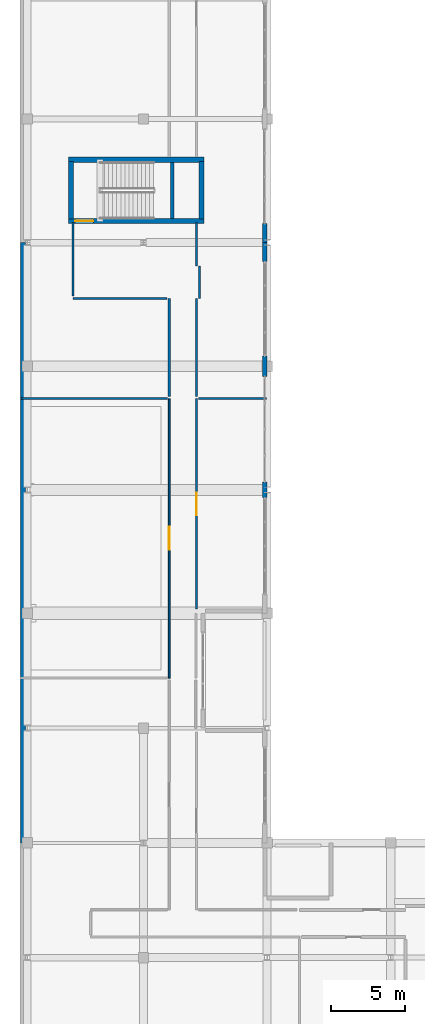
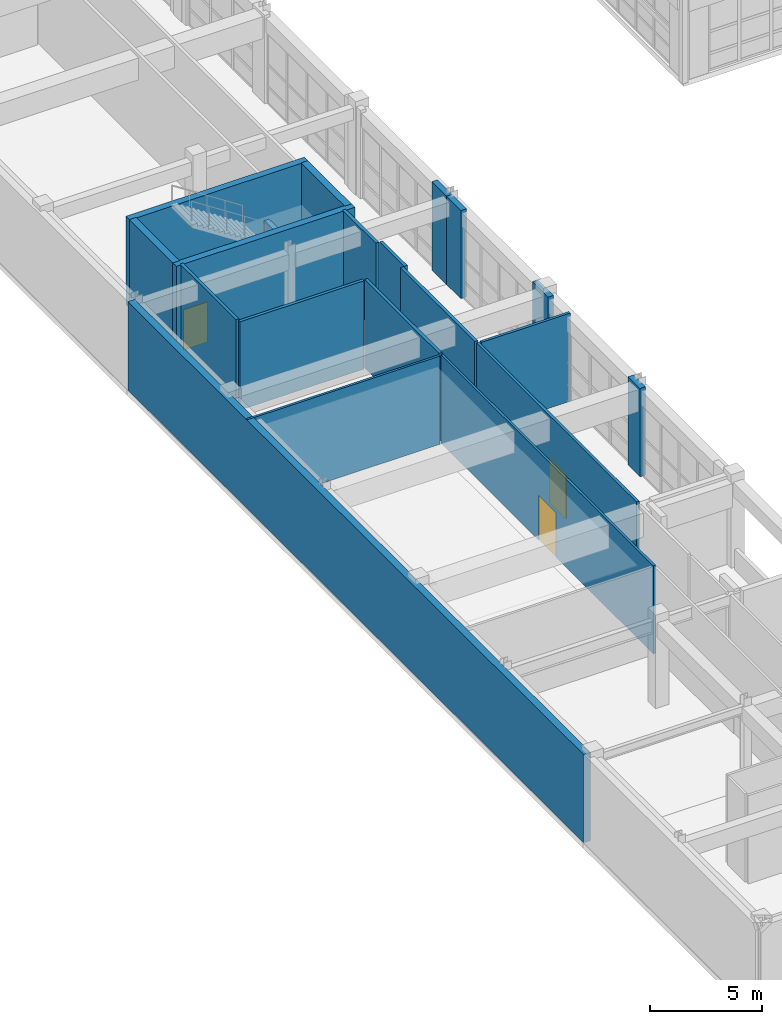
# One storey, part 60 of 78: 20 walls, 3 doors, 3 openings.
"""IFC4 building model written with IfcOpenShell, lengths in metres."""

from ifc_helpers import new_model, si_unit, direction, frame, frame_2d, origin, place, context, subcontext, project, spatial, rectangle, extrude, material, layer, layer_set, type_object, element, fill, save


model = new_model("IFC4")

# Units and contexts
model_context = context("Model", 3, precision=1e-05, world=origin(), true_north=direction((0.0, 1.0)))
body_context = subcontext(model_context, "Body", "Model", "MODEL_VIEW")
ifc_project = project(units=[si_unit("LENGTHUNIT", "METRE"), si_unit("AREAUNIT", "SQUARE_METRE"), si_unit("VOLUMEUNIT", "CUBIC_METRE"), si_unit("PLANEANGLEUNIT", "RADIAN"), si_unit("MASSUNIT", "GRAM", prefix="KILO")], contexts=[model_context])

# Site, building, storey
site_placement = place(None, origin())
site = spatial("IfcSite", under=ifc_project, at=site_placement, CompositionType="ELEMENT")
building_placement = place(site_placement, origin())
building = spatial("IfcBuilding", under=site, at=building_placement, Name="Quendrovan Civic Courthouse", CompositionType="ELEMENT")
storey_placement = place(building_placement, frame((0.0, 0.0, 10.199951171875)))
storey = spatial("IfcBuildingStorey", under=building, at=storey_placement, Name="L03", CompositionType="ELEMENT", Elevation=10.199951171875)

# Wall, opening, door
ifc_material_1 = material(Name="Acoustic gypsum stud partition")
ifc_layer_1 = layer(ifc_material_1, 0.139892578125, Name="Acoustic gypsum stud partition")
ifc_layer_set_1 = layer_set([ifc_layer_1], Name="Acoustic gypsum stud partition")
wall_type_1 = type_object("IfcWallType", Name="WL-CHM-140", PredefinedType="PARTITIONING", material=ifc_layer_set_1)
wall_1_placement = place(storey_placement, frame((12.0, 31.47998046875, 0.0), z_axis=(0.0, 0.0, 1.0), x_axis=(0.0, 1.0, 0.0)))
wall_1 = element("IfcWall", 1, at=wall_1_placement, inside=storey, type_object=wall_type_1, Name="L03 Attorney Conference Room Partition 0448", PredefinedType="PARTITIONING", context=body_context, shape_type="SweptSolid", body=[
    extrude(rectangle(XDim=14.320068359375, YDim=0.139892578125, at=frame_2d((7.16015625, 0.0))), origin(), (0.0, 0.0, 1.0), 4.820068359375),
])
opening_1_placement = place(wall_1_placement, frame((6.39990234375, 0.0, 0.0)))
opening_1 = element("IfcOpeningElement", 2, at=opening_1_placement, cuts=wall_1, Name="Opening D-L03-066", PredefinedType="OPENING", context=body_context, shape_type="SweptSolid", body=[
    extrude(rectangle(XDim=1.52001953125, YDim=2.39990234375, at=frame_2d((0.760009765625, 1.199951171875))), frame((0.0, 0.080078125, 0.0), z_axis=(0.0, -1.0, 0.0), x_axis=(1.0, 0.0, 0.0)), (0.0, 0.0, 1.0), 0.159912109375),
])
ifc_material_2 = material(Name="Acoustic timber double-leaf door", Category="wood")
door_type_1 = type_object("IfcDoorType", Name="DR-CONF-1520", OperationType="NOTDEFINED", PredefinedType="DOOR", material=ifc_material_2)
door_1_placement = place(opening_1_placement, origin())
door_1 = element("IfcDoor", 3, at=door_1_placement, inside=storey, type_object=door_type_1, Name="L03 Attorney Conference Room Door D-L03-066", OperationType="SINGLE_SWING_LEFT", OverallHeight=2.39990234375, OverallWidth=1.52001953125, PredefinedType="DOOR", context=body_context, shape_type="SweptSolid", body=[
    extrude(rectangle(XDim=1.52001953125, YDim=2.39990234375, at=frame_2d((0.760009765625, 1.199951171875))), frame((0.0, 0.02490234375, 0.0), z_axis=(0.0, -1.0, 0.0), x_axis=(1.0, 0.0, 0.0)), (0.0, 0.0, 1.0), 0.050048828125),
])
fill(opening_1, door_1)

# Walls
wall_2_placement = place(storey_placement, frame((12.14990234375, 45.800048828125, 0.0), z_axis=(0.0, 0.0, 1.0), x_axis=(1.0, 0.0, 0.0)))
element("IfcWall", 4, at=wall_2_placement, inside=storey, type_object=wall_type_1, Name="L03 Attorney Conference Room Partition 0481", PredefinedType="PARTITIONING", context=body_context, shape_type="SweptSolid", body=[
    extrude(rectangle(XDim=4.590087890625, YDim=0.139892578125, at=frame_2d((2.294921875, 0.0))), origin(), (0.0, 0.0, 1.0), 4.820068359375),
])
ifc_material_3 = material(Name="Fire-rated gypsum stud partition")
ifc_layer_2 = layer(ifc_material_3, 0.159912109375, Name="Fire-rated gypsum stud partition")
ifc_layer_set_2 = layer_set([ifc_layer_2], Name="Fire-rated gypsum stud partition")
wall_type_2 = type_object("IfcWallType", Name="WL-COR-160", PredefinedType="PARTITIONING", material=ifc_layer_set_2)
wall_3_placement = place(storey_placement, frame((12.0, 45.949951171875, 0.0), z_axis=(0.0, 0.0, 1.0), x_axis=(0.0, 1.0, 0.0)))
element("IfcWall", 5, at=wall_3_placement, inside=storey, type_object=wall_type_2, Name="L03 Appellate Filing Case Registry Partition 0466", PredefinedType="PARTITIONING", context=body_context, shape_type="SweptSolid", body=[
    extrude(rectangle(XDim=6.650146484375, YDim=0.159912109375, at=frame_2d((3.3251953125, 0.0))), origin(), (0.0, 0.0, 1.0), 4.820068359375),
])
wall_4_placement = place(storey_placement, frame((10.14990234375, 52.60009765625, 0.0), z_axis=(0.0, 0.0, 1.0), x_axis=(0.0, -1.0, 0.0)))
element("IfcWall", 6, at=wall_4_placement, inside=storey, type_object=wall_type_2, Name="L03 Appellate Filing Case Registry Partition 0467", PredefinedType="PARTITIONING", context=body_context, shape_type="SweptSolid", body=[
    extrude(rectangle(XDim=6.66015625, YDim=0.159912109375, at=frame_2d((3.330078125, 0.0))), origin(), (0.0, 0.0, 1.0), 4.820068359375),
])
wall_5_placement = place(storey_placement, frame((3.60009765625, 52.60009765625, 0.0), z_axis=(0.0, 0.0, 1.0), x_axis=(1.0, 0.0, 0.0)))
element("IfcWall", 7, at=wall_5_placement, inside=storey, type_object=wall_type_2, Name="L03 Appellate Filing Case Registry Partition 0470", PredefinedType="PARTITIONING", context=body_context, shape_type="SweptSolid", body=[
    extrude(rectangle(XDim=6.389892578125, YDim=0.159912109375, at=frame_2d((3.19482421875, 0.0))), origin(), (0.0, 0.0, 1.0), 4.820068359375),
])
wall_6_placement = place(storey_placement, frame((3.60009765625, 57.780029296875, 0.0), z_axis=(0.0, 0.0, 1.0), x_axis=(0.0, -1.0, 0.0)))
element("IfcWall", 8, at=wall_6_placement, inside=storey, type_object=wall_type_2, Name="L03 Appellate Filing Case Registry Partition 0478", PredefinedType="PARTITIONING", context=body_context, shape_type="SweptSolid", body=[
    extrude(rectangle(XDim=5.02001953125, YDim=0.159912109375, at=frame_2d((2.510009765625, 0.0))), origin(), (0.0, 0.0, 1.0), 4.820068359375),
])
wall_7_placement = place(storey_placement, frame((12.0, 54.800048828125, 0.0), z_axis=(0.0, 0.0, 1.0), x_axis=(0.0, 1.0, 0.0)))
element("IfcWall", 9, at=wall_7_placement, inside=storey, type_object=wall_type_2, Name="L03 Appellate Filing Case Registry Partition 0502", PredefinedType="PARTITIONING", context=body_context, shape_type="SweptSolid", body=[
    extrude(rectangle(XDim=2.97998046875, YDim=0.159912109375, at=frame_2d((1.489990234375, 0.0))), origin(), (0.0, 0.0, 1.0), 4.820068359375),
])
wall_8_placement = place(storey_placement, frame((12.199951171875, 52.60009765625, 0.0), z_axis=(0.0, 0.0, 1.0), x_axis=(0.0, 1.0, 0.0)))
element("IfcWall", 10, at=wall_8_placement, inside=storey, type_object=wall_type_2, Name="L03 Appellate Filing Case Registry Partition 0518", PredefinedType="PARTITIONING", context=body_context, shape_type="SweptSolid", body=[
    extrude(rectangle(XDim=2.199951171875, YDim=0.159912109375, at=frame_2d((1.10009765625, 0.0))), origin(), (0.0, 0.0, 1.0), 4.820068359375),
])

# Wall, opening, door
ifc_material_4 = material(Name="Concrete C45/55", Category="concrete")
ifc_layer_3 = layer(ifc_material_4, 0.35009765625, Name="Concrete C45/55")
ifc_layer_set_3 = layer_set([ifc_layer_3], Name="Concrete C45/55")
wall_type_3 = type_object("IfcWallType", Name="WL-CORE-350", PredefinedType="SHEAR", material=ifc_layer_set_3)
wall_9_placement = place(storey_placement, frame((3.2900390625, 57.864990234375, 0.0), z_axis=(0.0, 0.0, 1.0), x_axis=(1.0, 0.0, 0.0)))
wall_9 = element("IfcWall", 11, at=wall_9_placement, inside=storey, type_object=wall_type_3, Name="L03 Core Shear Wall ST4-S", PredefinedType="SHEAR", context=body_context, shape_type="SweptSolid", body=[
    extrude(rectangle(XDim=9.219970703125, YDim=0.35009765625, at=frame_2d((4.60986328125, 0.0))), origin(), (0.0, 0.0, 1.0), 4.820068359375),
])
opening_2_placement = place(wall_9_placement, frame((0.449951171875, 0.0, 0.0)))
opening_2 = element("IfcOpeningElement", 12, at=opening_2_placement, cuts=wall_9, Name="Opening DS-ST4-L03", PredefinedType="OPENING", context=body_context, shape_type="SweptSolid", body=[
    extrude(rectangle(XDim=1.25, YDim=2.199951171875, at=frame_2d((0.625, 1.10009765625))), frame((0.0, 0.18505859375, 0.0), z_axis=(0.0, -1.0, 0.0), x_axis=(1.0, 0.0, 0.0)), (0.0, 0.0, 1.0), 0.3701171875),
])
ifc_material_5 = material(Name="Painted galvanized hollow-metal steel", Category="steel")
door_type_2 = type_object("IfcDoorType", Name="DR-STAIR-1250", OperationType="NOTDEFINED", PredefinedType="DOOR", material=ifc_material_5)
door_2_placement = place(opening_2_placement, origin())
door_2 = element("IfcDoor", 13, at=door_2_placement, inside=storey, type_object=door_type_2, Name="L03 Exit Stair ST4 Fire Door", OperationType="SINGLE_SWING_RIGHT", OverallHeight=2.199951171875, OverallWidth=1.25, PredefinedType="DOOR", context=body_context, shape_type="SweptSolid", body=[
    extrude(rectangle(XDim=1.25, YDim=2.199951171875, at=frame_2d((0.625, 1.10009765625))), frame((0.0, 0.02490234375, 0.0), z_axis=(0.0, -1.0, 0.0), x_axis=(1.0, 0.0, 0.0)), (0.0, 0.0, 1.0), 0.050048828125),
])
fill(opening_2, door_2)

# Walls
wall_10_placement = place(storey_placement, frame((12.510009765625, 62.034912109375, 0.0), z_axis=(0.0, 0.0, 1.0), x_axis=(-1.0, 0.0, 0.0)))
element("IfcWall", 14, at=wall_10_placement, inside=storey, type_object=wall_type_3, Name="L03 Core Shear Wall ST4-N", PredefinedType="SHEAR", context=body_context, shape_type="SweptSolid", body=[
    extrude(rectangle(XDim=9.219970703125, YDim=0.35009765625, at=frame_2d((4.60986328125, 0.0))), origin(), (0.0, 0.0, 1.0), 4.820068359375),
])
for number, where, z_axis, x_axis, name in (
    (15, (3.465087890625, 58.0, 0.0), (0.0, 0.0, 1.0), (0.0, 1.0, 0.0), "L03 Core Shear Wall ST4-W"),
    (16, (12.3349609375, 61.89990234375, 0.0), (0.0, 0.0, 1.0), (0.0, -1.0, 0.0), "L03 Core Shear Wall ST4-E"),
):
    element("IfcWall", number, at=place(storey_placement, frame(where, z_axis=z_axis, x_axis=x_axis)), inside=storey, type_object=wall_type_3, Name=name, PredefinedType="SHEAR", context=body_context, shape_type="SweptSolid", body=[
        extrude(rectangle(XDim=3.89990234375, YDim=0.35009765625, at=frame_2d((1.949951171875, 0.0))), origin(), (0.0, 0.0, 1.0), 4.820068359375),
    ])
ifc_material_6 = material(Name="Precast concrete C45/55", Category="concrete")
ifc_layer_4 = layer(ifc_material_6, 0.2900390625, Name="Precast concrete C45/55")
ifc_layer_set_4 = layer_set([ifc_layer_4], Name="Precast concrete C45/55")
wall_type_4 = type_object("IfcWallType", Name="WL-EXT-PC290", PredefinedType="SOLIDWALL", material=ifc_layer_set_4)
wall_11_placement = place(storey_placement, frame((16.635009765625, 57.699951171875, 0.0), z_axis=(0.0, 0.0, 1.0), x_axis=(0.0, -1.0, 0.0)))
element("IfcWall", 17, at=wall_11_placement, inside=storey, type_object=wall_type_4, Name="L03 Exterior Pier Wall 262", PredefinedType="SOLIDWALL", context=body_context, shape_type="SweptSolid", body=[
    extrude(rectangle(XDim=1.300048828125, YDim=0.2900390625, at=frame_2d((0.64990234375, 0.0))), origin(), (0.0, 0.0, 1.0), 4.820068359375),
])
wall_12_placement = place(storey_placement, frame((16.635009765625, 56.39990234375, 0.0), z_axis=(0.0, 0.0, 1.0), x_axis=(0.0, -1.0, 0.0)))
element("IfcWall", 18, at=wall_12_placement, inside=storey, type_object=wall_type_4, Name="L03 Exterior Pier Wall 263", PredefinedType="SOLIDWALL", context=body_context, shape_type="SweptSolid", body=[
    extrude(rectangle(XDim=1.2998046875, YDim=0.2900390625, at=frame_2d((0.64990234375, 0.0))), origin(), (0.0, 0.0, 1.0), 4.820068359375),
])
wall_13_placement = place(storey_placement, frame((16.635009765625, 48.699951171875, 0.0), z_axis=(0.0, 0.0, 1.0), x_axis=(0.0, -1.0, 0.0)))
element("IfcWall", 19, at=wall_13_placement, inside=storey, type_object=wall_type_4, Name="L03 Exterior Pier Wall 264", PredefinedType="SOLIDWALL", context=body_context, shape_type="SweptSolid", body=[
    extrude(rectangle(XDim=1.39990234375, YDim=0.2900390625, at=frame_2d((0.699951171875, 0.0))), origin(), (0.0, 0.0, 1.0), 4.820068359375),
])
wall_14_placement = place(storey_placement, frame((16.635009765625, 40.136962890625, 0.0), z_axis=(0.0, 0.0, 1.0), x_axis=(0.0, -1.0, 0.0)))
element("IfcWall", 20, at=wall_14_placement, inside=storey, type_object=wall_type_4, Name="L03 Exterior Pier Wall 265", PredefinedType="SOLIDWALL", context=body_context, shape_type="SweptSolid", body=[
    extrude(rectangle(XDim=1.073974609375, YDim=0.2900390625, at=frame_2d((0.537109375, 0.0))), origin(), (0.0, 0.0, 1.0), 4.820068359375),
])

# Wall, opening, door
ifc_material_7 = material(Name="Acoustic glazed-head stud partition")
ifc_layer_5 = layer(ifc_material_7, 0.1201171875, Name="Acoustic glazed-head stud partition")
ifc_layer_set_5 = layer_set([ifc_layer_5], Name="Acoustic glazed-head stud partition")
wall_type_5 = type_object("IfcWallType", Name="WL-LIB-120", PredefinedType="PARTITIONING", material=ifc_layer_set_5)
wall_15_placement = place(storey_placement, frame((10.14990234375, 45.800048828125, 0.0), z_axis=(0.0, 0.0, 1.0), x_axis=(0.0, -1.0, 0.0)))
wall_15 = element("IfcWall", 21, at=wall_15_placement, inside=storey, type_object=wall_type_5, Name="L03 Law Library Periodicals Reading Room Partition 0429", PredefinedType="PARTITIONING", context=body_context, shape_type="SweptSolid", body=[
    extrude(rectangle(XDim=19.0, YDim=0.1201171875, at=frame_2d((9.5, 0.0))), origin(), (0.0, 0.0, 1.0), 4.820068359375),
])
opening_3_placement = place(wall_15_placement, frame((8.719970703125, 0.0, 0.0)))
opening_3 = element("IfcOpeningElement", 22, at=opening_3_placement, cuts=wall_15, Name="Opening D-L03-065", PredefinedType="OPENING", context=body_context, shape_type="SweptSolid", body=[
    extrude(rectangle(XDim=1.56005859375, YDim=2.43994140625, at=frame_2d((0.780029296875, 1.219970703125))), frame((0.0, 0.070068359375, 0.0), z_axis=(0.0, -1.0, 0.0), x_axis=(1.0, 0.0, 0.0)), (0.0, 0.0, 1.0), 0.14013671875),
])
ifc_material_8 = material(Name="Bronze-anodised aluminium acoustic glass door", Category="aluminium")
door_type_3 = type_object("IfcDoorType", Name="DR-LIB-1560", OperationType="NOTDEFINED", PredefinedType="DOOR", material=ifc_material_8)
door_3_placement = place(opening_3_placement, origin())
door_3 = element("IfcDoor", 23, at=door_3_placement, inside=storey, type_object=door_type_3, Name="L03 Law Library Periodicals Reading Room Door D-L03-065", OperationType="SINGLE_SWING_RIGHT", OverallHeight=2.43994140625, OverallWidth=1.56005859375, PredefinedType="DOOR", context=body_context, shape_type="SweptSolid", body=[
    extrude(rectangle(XDim=1.56005859375, YDim=2.43994140625, at=frame_2d((0.780029296875, 1.219970703125))), frame((0.0, 0.02490234375, 0.0), z_axis=(0.0, -1.0, 0.0), x_axis=(1.0, 0.0, 0.0)), (0.0, 0.0, 1.0), 0.050048828125),
])
fill(opening_3, door_3)

# Walls
wall_16_placement = place(storey_placement, frame((0.06005859375, 45.800048828125, 0.0), z_axis=(0.0, 0.0, 1.0), x_axis=(1.0, 0.0, 0.0)))
element("IfcWall", 24, at=wall_16_placement, inside=storey, type_object=wall_type_5, Name="L03 Law Library Periodicals Reading Room Partition 0459", PredefinedType="PARTITIONING", context=body_context, shape_type="SweptSolid", body=[
    extrude(rectangle(XDim=9.949951171875, YDim=0.1201171875, at=frame_2d((4.97509765625, 0.0))), origin(), (0.0, 0.0, 1.0), 4.820068359375),
])
ifc_material_9 = material(Name="Concrete C40/50", Category="concrete")
ifc_layer_6 = layer(ifc_material_9, 0.360107421875, Name="Concrete C40/50")
ifc_layer_set_6 = layer_set([ifc_layer_6], Name="Concrete C40/50")
wall_type_6 = type_object("IfcWallType", Name="WL-PARTY-360", PredefinedType="SOLIDWALL", material=ifc_layer_set_6)
wall_17_placement = place(storey_placement, frame((0.2099609375, 15.60009765625, 0.0), z_axis=(0.0, 0.0, 1.0), x_axis=(0.0, 1.0, 0.0)))
element("IfcWall", 25, at=wall_17_placement, inside=storey, type_object=wall_type_6, Name="L03 Fire-Rated Boundary Party Wall 284", PredefinedType="SOLIDWALL", context=body_context, shape_type="SweptSolid", body=[
    extrude(rectangle(XDim=40.7998046875, YDim=0.360107421875, at=frame_2d((20.39990234375, 0.0))), origin(), (0.0, 0.0, 1.0), 4.820068359375),
])
ifc_layer_7 = layer(ifc_material_4, 0.25, Name="Concrete C45/55")
ifc_layer_set_7 = layer_set([ifc_layer_7], Name="Concrete C45/55")
wall_type_7 = type_object("IfcWallType", Name="WL-SHAFT-250", PredefinedType="SHEAR", material=ifc_layer_set_7)
wall_18_placement = place(storey_placement, frame((10.35009765625, 58.050048828125, 0.0), z_axis=(0.0, 0.0, 1.0), x_axis=(0.0, 1.0, 0.0)))
element("IfcWall", 26, at=wall_18_placement, inside=storey, type_object=wall_type_7, Name="L03 Stair ST4 Mid-Landing Bearing Wall", PredefinedType="SHEAR", context=body_context, shape_type="SweptSolid", body=[
    extrude(rectangle(XDim=3.800048828125, YDim=0.25, at=frame_2d((1.89990234375, 0.0))), origin(), (0.0, 0.0, 1.0), 2.3701171875),
])

save(model, "model.ifc")
